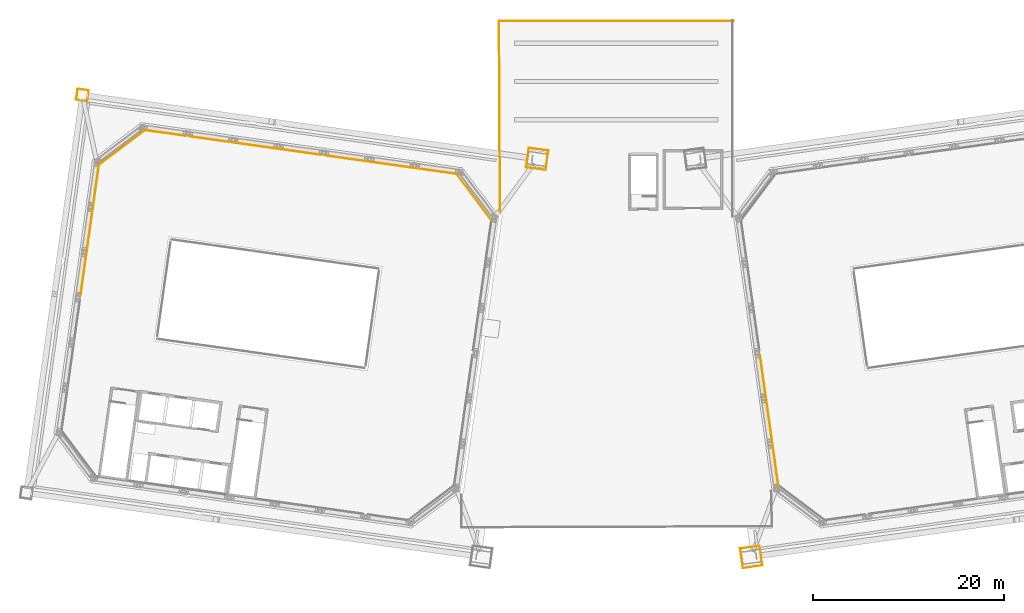
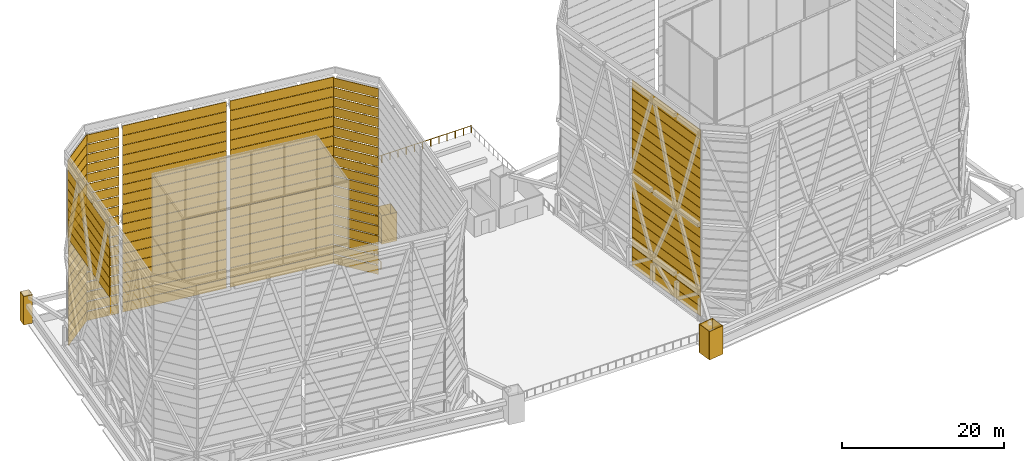
# One storey, part 43 of 45: 134 coverings, 1 railing.
"""IFC4 building model written with IfcOpenShell, lengths in metres."""

from ifc_helpers import new_model, si_unit, direction, frame, origin, origin_2d, place, context, subcontext, project, spatial, polyline, rectangle, outline, extrude, material, layer, layer_set, type_object, element, save


model = new_model("IFC4")

# Units and contexts
model_context = context("Model", 3, precision=1e-05, world=origin(), true_north=direction((0.0, 1.0)))
body_context = subcontext(model_context, "Body", "Model", "MODEL_VIEW")
ifc_project = project(units=[si_unit("LENGTHUNIT", "METRE"), si_unit("AREAUNIT", "SQUARE_METRE"), si_unit("VOLUMEUNIT", "CUBIC_METRE"), si_unit("PLANEANGLEUNIT", "RADIAN"), si_unit("MASSUNIT", "GRAM", prefix="KILO")], contexts=[model_context])

# Site, building, storey
site_placement = place(None, origin())
site = spatial("IfcSite", under=ifc_project, at=site_placement, CompositionType="ELEMENT")
building_placement = place(site_placement, origin())
building = spatial("IfcBuilding", under=site, at=building_placement, Name="Mirante Cascada Hotel Towers", CompositionType="ELEMENT")
storey_placement = place(building_placement, frame((0.0, 0.0, 269.8)))
storey = spatial("IfcBuildingStorey", under=building, at=storey_placement, Name="Roof garden", CompositionType="ELEMENT", Elevation=269.8)

# Coverings
ifc_material_1 = material(Name="Anodised aluminium cladding", Category="aluminium")
ifc_layer_1 = layer(ifc_material_1, 0.05)
ifc_layer_set_1 = layer_set([ifc_layer_1], Name="Column cladding plate 50")
covering_type_1 = type_object("IfcCoveringType", Name="Column cladding plate 50", PredefinedType="CLADDING", material=ifc_layer_set_1)
for number, where, z_axis, x_axis, name in (
    (1, (-9.2773, 16.294, 0.0), (0.0, 0.0, 1.0), (-0.9902681, 0.1391731, 0.0), "Mega column cladding T1 1.1"),
    (2, (-7.2472, 16.0087, 0.0), (0.0, 0.0, 1.0), (-0.9902681, 0.1391731, 0.0), "Mega column cladding T1 1.2"),
):
    element("IfcCovering", number, at=place(storey_placement, frame(where, z_axis=z_axis, x_axis=x_axis)), inside=storey, type_object=covering_type_1, Name=name, PredefinedType="CLADDING", context=body_context, shape_type="SweptSolid", body=[
        extrude(rectangle(XDim=0.05, YDim=2.0, at=origin_2d()), origin(), (0.0, 0.0, 1.0), 4.3),
    ])
for number, where, z_axis, x_axis, name in (
    (3, (-8.4049, 15.1363, 0.0), (0.0, 0.0, 1.0), (-0.9902681, 0.1391731, 0.0), "Mega column cladding T1 1.3"),
    (4, (-8.1196, 17.1664, 0.0), (0.0, 0.0, 1.0), (-0.9902681, 0.1391731, 0.0), "Mega column cladding T1 1.4"),
):
    element("IfcCovering", number, at=place(storey_placement, frame(where, z_axis=z_axis, x_axis=x_axis)), inside=storey, type_object=covering_type_1, Name=name, PredefinedType="CLADDING", context=body_context, shape_type="SweptSolid", body=[
        extrude(rectangle(XDim=2.1, YDim=0.05, at=origin_2d()), origin(), (0.0, 0.0, 1.0), 4.3),
    ])
for number, where, z_axis, x_axis, name in (
    (5, (-56.3645, 22.9117, 0.0), (0.0, 0.0, 1.0), (-0.9902681, 0.1391731, 0.0), "Mega column cladding T1 3.1"),
    (6, (-55.2257, 22.7516, 0.0), (0.0, 0.0, 1.0), (-0.9902681, 0.1391731, 0.0), "Mega column cladding T1 3.2"),
):
    element("IfcCovering", number, at=place(storey_placement, frame(where, z_axis=z_axis, x_axis=x_axis)), inside=storey, type_object=covering_type_1, Name=name, PredefinedType="CLADDING", context=body_context, shape_type="SweptSolid", body=[
        extrude(rectangle(XDim=0.05, YDim=1.1, at=origin_2d()), origin(), (0.0, 0.0, 1.0), 4.3),
    ])
for number, where, z_axis, x_axis, name in (
    (7, (-55.8752, 22.2622, 0.0), (0.0, 0.0, 1.0), (-0.9902681, 0.1391731, 0.0), "Mega column cladding T1 3.3"),
    (8, (-55.7151, 23.4011, 0.0), (0.0, 0.0, 1.0), (-0.9902681, 0.1391731, 0.0), "Mega column cladding T1 3.4"),
):
    element("IfcCovering", number, at=place(storey_placement, frame(where, z_axis=z_axis, x_axis=x_axis)), inside=storey, type_object=covering_type_1, Name=name, PredefinedType="CLADDING", context=body_context, shape_type="SweptSolid", body=[
        extrude(rectangle(XDim=1.2, YDim=0.05, at=origin_2d()), origin(), (0.0, 0.0, 1.0), 4.3),
    ])
for number, where, z_axis, x_axis, name in (
    (9, (15.1226, -25.2973, 0.0), (0.0, 0.0, 1.0), (0.9902681, 0.1391731, 0.0), "Mega column cladding T2 2.1"),
    (10, (13.0925, -25.5826, 0.0), (0.0, 0.0, 1.0), (0.9902681, 0.1391731, 0.0), "Mega column cladding T2 2.2"),
):
    element("IfcCovering", number, at=place(storey_placement, frame(where, z_axis=z_axis, x_axis=x_axis)), inside=storey, type_object=covering_type_1, Name=name, PredefinedType="CLADDING", context=body_context, shape_type="SweptSolid", body=[
        extrude(rectangle(XDim=0.05, YDim=2.0, at=origin_2d()), origin(), (0.0, 0.0, 1.0), 4.3),
    ])
for number, where, z_axis, x_axis, name in (
    (11, (13.9649, -24.4249, 0.0), (0.0, 0.0, 1.0), (0.9902681, 0.1391731, 0.0), "Mega column cladding T2 2.3"),
    (12, (14.2502, -26.4549, 0.0), (0.0, 0.0, 1.0), (0.9902681, 0.1391731, 0.0), "Mega column cladding T2 2.4"),
):
    element("IfcCovering", number, at=place(storey_placement, frame(where, z_axis=z_axis, x_axis=x_axis)), inside=storey, type_object=covering_type_1, Name=name, PredefinedType="CLADDING", context=body_context, shape_type="SweptSolid", body=[
        extrude(rectangle(XDim=2.1, YDim=0.05, at=origin_2d()), origin(), (0.0, 0.0, 1.0), 4.3),
    ])
ifc_material_2 = material(Name="Anodised aluminium louvre blade", Category="aluminium")
ifc_layer_2 = layer(ifc_material_2, 0.06)
ifc_layer_set_2 = layer_set([ifc_layer_2], Name="Crown LOUVRE blade 300x60")
covering_type_2 = type_object("IfcCoveringType", Name="Crown LOUVRE blade 300x60", PredefinedType="USERDEFINED", material=ifc_layer_set_2)
for number, where, z_axis, x_axis, name in (
    (13, (-14.864, 12.1636, 0.07), (0.0, 0.0, 1.0), (-0.601815, 0.7986355, 0.0), "LOUVRE T1 run 4 row 1"),
    (14, (-14.864, 12.1636, 1.5542), (0.0, 0.0, 1.0), (-0.601815, 0.7986355, 0.0), "LOUVRE T1 run 4 row 2"),
    (15, (-14.864, 12.1636, 3.0384), (0.0, 0.0, 1.0), (-0.601815, 0.7986355, 0.0), "LOUVRE T1 run 4 row 3"),
    (16, (-14.864, 12.1636, 4.5226), (0.0, 0.0, 1.0), (-0.601815, 0.7986355, 0.0), "LOUVRE T1 run 4 row 4"),
    (17, (-14.864, 12.1636, 6.0068), (0.0, 0.0, 1.0), (-0.601815, 0.7986355, 0.0), "LOUVRE T1 run 4 row 5"),
    (18, (-14.864, 12.1636, 7.491), (0.0, 0.0, 1.0), (-0.601815, 0.7986355, 0.0), "LOUVRE T1 run 4 row 6"),
    (19, (-14.864, 12.1636, 8.9753), (0.0, 0.0, 1.0), (-0.601815, 0.7986355, 0.0), "LOUVRE T1 run 4 row 7"),
    (20, (-14.864, 12.1636, 10.4595), (0.0, 0.0, 1.0), (-0.601815, 0.7986355, 0.0), "LOUVRE T1 run 4 row 8"),
    (21, (-14.864, 12.1636, 11.9437), (0.0, 0.0, 1.0), (-0.601815, 0.7986355, 0.0), "LOUVRE T1 run 4 row 9"),
    (22, (-14.864, 12.1636, 13.4279), (0.0, 0.0, 1.0), (-0.601815, 0.7986355, 0.0), "LOUVRE T1 run 4 row 10"),
    (23, (-14.864, 12.1636, 14.9121), (0.0, 0.0, 1.0), (-0.601815, 0.7986355, 0.0), "LOUVRE T1 run 4 row 11"),
    (24, (-14.864, 12.1636, 16.3963), (0.0, 0.0, 1.0), (-0.601815, 0.7986355, 0.0), "LOUVRE T1 run 4 row 12"),
    (25, (-14.864, 12.1636, 17.8805), (0.0, 0.0, 1.0), (-0.601815, 0.7986355, 0.0), "LOUVRE T1 run 4 row 13"),
    (26, (-14.864, 12.1636, 19.3647), (0.0, 0.0, 1.0), (-0.601815, 0.7986355, 0.0), "LOUVRE T1 run 4 row 14"),
    (27, (-14.864, 12.1636, 20.8489), (0.0, 0.0, 1.0), (-0.601815, 0.7986355, 0.0), "LOUVRE T1 run 4 row 15"),
    (28, (-14.864, 12.1636, 22.3332), (0.0, 0.0, 1.0), (-0.601815, 0.7986355, 0.0), "LOUVRE T1 run 4 row 16"),
    (29, (-14.864, 12.1636, 23.8174), (0.0, 0.0, 1.0), (-0.601815, 0.7986355, 0.0), "LOUVRE T1 run 4 row 17"),
    (30, (-14.864, 12.1636, 25.3016), (0.0, 0.0, 1.0), (-0.601815, 0.7986355, 0.0), "LOUVRE T1 run 4 row 18"),
    (31, (-14.864, 12.1636, 26.7858), (0.0, 0.0, 1.0), (-0.601815, 0.7986355, 0.0), "LOUVRE T1 run 4 row 19"),
):
    element("IfcCovering", number, at=place(storey_placement, frame(where, z_axis=z_axis, x_axis=x_axis)), inside=storey, type_object=covering_type_2, Name=name, ObjectType="LOUVRE", PredefinedType="USERDEFINED", context=body_context, shape_type="SweptSolid", body=[
        extrude(rectangle(XDim=5.9912, YDim=0.06, at=origin_2d()), origin(), (0.0, 0.0, 1.0), 1.3358),
    ])
for number, where, z_axis, x_axis, name in (
    (32, (-47.1833, 18.8645, 0.07), (0.0, 0.0, 1.0), (-0.9902681, 0.1391731, 0.0), "LOUVRE T1 run 7 row 1"),
    (33, (-47.1833, 18.8645, 1.5542), (0.0, 0.0, 1.0), (-0.9902681, 0.1391731, 0.0), "LOUVRE T1 run 7 row 2"),
    (34, (-47.1833, 18.8645, 3.0384), (0.0, 0.0, 1.0), (-0.9902681, 0.1391731, 0.0), "LOUVRE T1 run 7 row 3"),
    (35, (-47.1833, 18.8645, 4.5226), (0.0, 0.0, 1.0), (-0.9902681, 0.1391731, 0.0), "LOUVRE T1 run 7 row 4"),
    (36, (-47.1833, 18.8645, 6.0068), (0.0, 0.0, 1.0), (-0.9902681, 0.1391731, 0.0), "LOUVRE T1 run 7 row 5"),
    (37, (-47.1833, 18.8645, 7.491), (0.0, 0.0, 1.0), (-0.9902681, 0.1391731, 0.0), "LOUVRE T1 run 7 row 6"),
    (38, (-47.1833, 18.8645, 8.9753), (0.0, 0.0, 1.0), (-0.9902681, 0.1391731, 0.0), "LOUVRE T1 run 7 row 7"),
    (39, (-47.1833, 18.8645, 10.4595), (0.0, 0.0, 1.0), (-0.9902681, 0.1391731, 0.0), "LOUVRE T1 run 7 row 8"),
    (40, (-47.1833, 18.8645, 11.9437), (0.0, 0.0, 1.0), (-0.9902681, 0.1391731, 0.0), "LOUVRE T1 run 7 row 9"),
    (41, (-47.1833, 18.8645, 13.4279), (0.0, 0.0, 1.0), (-0.9902681, 0.1391731, 0.0), "LOUVRE T1 run 7 row 10"),
    (42, (-47.1833, 18.8645, 14.9121), (0.0, 0.0, 1.0), (-0.9902681, 0.1391731, 0.0), "LOUVRE T1 run 7 row 11"),
    (43, (-47.1833, 18.8645, 16.3963), (0.0, 0.0, 1.0), (-0.9902681, 0.1391731, 0.0), "LOUVRE T1 run 7 row 12"),
    (44, (-47.1833, 18.8645, 17.8805), (0.0, 0.0, 1.0), (-0.9902681, 0.1391731, 0.0), "LOUVRE T1 run 7 row 13"),
    (45, (-47.1833, 18.8645, 19.3647), (0.0, 0.0, 1.0), (-0.9902681, 0.1391731, 0.0), "LOUVRE T1 run 7 row 14"),
    (46, (-47.1833, 18.8645, 20.8489), (0.0, 0.0, 1.0), (-0.9902681, 0.1391731, 0.0), "LOUVRE T1 run 7 row 15"),
    (47, (-47.1833, 18.8645, 22.3332), (0.0, 0.0, 1.0), (-0.9902681, 0.1391731, 0.0), "LOUVRE T1 run 7 row 16"),
    (48, (-47.1833, 18.8645, 23.8174), (0.0, 0.0, 1.0), (-0.9902681, 0.1391731, 0.0), "LOUVRE T1 run 7 row 17"),
    (49, (-47.1833, 18.8645, 25.3016), (0.0, 0.0, 1.0), (-0.9902681, 0.1391731, 0.0), "LOUVRE T1 run 7 row 18"),
    (50, (-47.1833, 18.8645, 26.7858), (0.0, 0.0, 1.0), (-0.9902681, 0.1391731, 0.0), "LOUVRE T1 run 7 row 19"),
):
    element("IfcCovering", number, at=place(storey_placement, frame(where, z_axis=z_axis, x_axis=x_axis)), inside=storey, type_object=covering_type_2, Name=name, ObjectType="LOUVRE", PredefinedType="USERDEFINED", context=body_context, shape_type="SweptSolid", body=[
        extrude(rectangle(XDim=4.2875, YDim=0.06, at=origin_2d()), origin(), (0.0, 0.0, 1.0), 1.3358),
    ])
ifc_material_3 = material(Name="Perforated stainless steel screen", Category="steel")
ifc_layer_3 = layer(ifc_material_3, 0.06)
ifc_layer_set_3 = layer_set([ifc_layer_3], Name="Perforated metal SCREEN panel 4500x60")
covering_type_3 = type_object("IfcCoveringType", Name="Perforated metal SCREEN panel 4500x60", PredefinedType="USERDEFINED", material=ifc_layer_set_3)
for number, where, z_axis, x_axis, name in (
    (51, (-23.4788, 15.5331, 0.1), (0.0, 0.0, 1.0), (-0.9902681, 0.1391731, 0.0), "SCREEN T1 run 5 row 1"),
    (52, (-23.4788, 15.5331, 1.5842), (0.0, 0.0, 1.0), (-0.9902681, 0.1391731, 0.0), "SCREEN T1 run 5 row 2"),
    (53, (-23.4788, 15.5331, 3.0684), (0.0, 0.0, 1.0), (-0.9902681, 0.1391731, 0.0), "SCREEN T1 run 5 row 3"),
    (54, (-23.4788, 15.5331, 4.5526), (0.0, 0.0, 1.0), (-0.9902681, 0.1391731, 0.0), "SCREEN T1 run 5 row 4"),
    (55, (-23.4788, 15.5331, 6.0368), (0.0, 0.0, 1.0), (-0.9902681, 0.1391731, 0.0), "SCREEN T1 run 5 row 5"),
    (56, (-23.4788, 15.5331, 7.5211), (0.0, 0.0, 1.0), (-0.9902681, 0.1391731, 0.0), "SCREEN T1 run 5 row 6"),
    (57, (-23.4788, 15.5331, 9.0053), (0.0, 0.0, 1.0), (-0.9902681, 0.1391731, 0.0), "SCREEN T1 run 5 row 7"),
    (58, (-23.4788, 15.5331, 10.4895), (0.0, 0.0, 1.0), (-0.9902681, 0.1391731, 0.0), "SCREEN T1 run 5 row 8"),
    (59, (-23.4788, 15.5331, 11.9737), (0.0, 0.0, 1.0), (-0.9902681, 0.1391731, 0.0), "SCREEN T1 run 5 row 9"),
    (60, (-23.4788, 15.5331, 13.4579), (0.0, 0.0, 1.0), (-0.9902681, 0.1391731, 0.0), "SCREEN T1 run 5 row 10"),
    (61, (-23.4788, 15.5331, 14.9421), (0.0, 0.0, 1.0), (-0.9902681, 0.1391731, 0.0), "SCREEN T1 run 5 row 11"),
    (62, (-23.4788, 15.5331, 16.4263), (0.0, 0.0, 1.0), (-0.9902681, 0.1391731, 0.0), "SCREEN T1 run 5 row 12"),
    (63, (-23.4788, 15.5331, 17.9105), (0.0, 0.0, 1.0), (-0.9902681, 0.1391731, 0.0), "SCREEN T1 run 5 row 13"),
    (64, (-23.4788, 15.5331, 19.3947), (0.0, 0.0, 1.0), (-0.9902681, 0.1391731, 0.0), "SCREEN T1 run 5 row 14"),
    (65, (-23.4788, 15.5331, 20.879), (0.0, 0.0, 1.0), (-0.9902681, 0.1391731, 0.0), "SCREEN T1 run 5 row 15"),
    (66, (-23.4788, 15.5331, 22.3632), (0.0, 0.0, 1.0), (-0.9902681, 0.1391731, 0.0), "SCREEN T1 run 5 row 16"),
    (67, (-23.4788, 15.5331, 23.8474), (0.0, 0.0, 1.0), (-0.9902681, 0.1391731, 0.0), "SCREEN T1 run 5 row 17"),
    (68, (-23.4788, 15.5331, 25.3316), (0.0, 0.0, 1.0), (-0.9902681, 0.1391731, 0.0), "SCREEN T1 run 5 row 18"),
    (69, (-23.4788, 15.5331, 26.8158), (0.0, 0.0, 1.0), (-0.9902681, 0.1391731, 0.0), "SCREEN T1 run 5 row 19"),
    (70, (-37.7015, 17.5319, 0.1), (0.0, 0.0, 1.0), (-0.9902681, 0.1391731, 0.0), "SCREEN T1 run 6 row 1"),
    (71, (-37.7015, 17.5319, 1.5842), (0.0, 0.0, 1.0), (-0.9902681, 0.1391731, 0.0), "SCREEN T1 run 6 row 2"),
    (72, (-37.7015, 17.5319, 3.0684), (0.0, 0.0, 1.0), (-0.9902681, 0.1391731, 0.0), "SCREEN T1 run 6 row 3"),
    (73, (-37.7015, 17.5319, 4.5526), (0.0, 0.0, 1.0), (-0.9902681, 0.1391731, 0.0), "SCREEN T1 run 6 row 4"),
    (74, (-37.7015, 17.5319, 6.0368), (0.0, 0.0, 1.0), (-0.9902681, 0.1391731, 0.0), "SCREEN T1 run 6 row 5"),
    (75, (-37.7015, 17.5319, 7.5211), (0.0, 0.0, 1.0), (-0.9902681, 0.1391731, 0.0), "SCREEN T1 run 6 row 6"),
    (76, (-37.7015, 17.5319, 9.0053), (0.0, 0.0, 1.0), (-0.9902681, 0.1391731, 0.0), "SCREEN T1 run 6 row 7"),
    (77, (-37.7015, 17.5319, 10.4895), (0.0, 0.0, 1.0), (-0.9902681, 0.1391731, 0.0), "SCREEN T1 run 6 row 8"),
    (78, (-37.7015, 17.5319, 11.9737), (0.0, 0.0, 1.0), (-0.9902681, 0.1391731, 0.0), "SCREEN T1 run 6 row 9"),
    (79, (-37.7015, 17.5319, 13.4579), (0.0, 0.0, 1.0), (-0.9902681, 0.1391731, 0.0), "SCREEN T1 run 6 row 10"),
    (80, (-37.7015, 17.5319, 14.9421), (0.0, 0.0, 1.0), (-0.9902681, 0.1391731, 0.0), "SCREEN T1 run 6 row 11"),
    (81, (-37.7015, 17.5319, 16.4263), (0.0, 0.0, 1.0), (-0.9902681, 0.1391731, 0.0), "SCREEN T1 run 6 row 12"),
    (82, (-37.7015, 17.5319, 17.9105), (0.0, 0.0, 1.0), (-0.9902681, 0.1391731, 0.0), "SCREEN T1 run 6 row 13"),
    (83, (-37.7015, 17.5319, 19.3947), (0.0, 0.0, 1.0), (-0.9902681, 0.1391731, 0.0), "SCREEN T1 run 6 row 14"),
    (84, (-37.7015, 17.5319, 20.879), (0.0, 0.0, 1.0), (-0.9902681, 0.1391731, 0.0), "SCREEN T1 run 6 row 15"),
    (85, (-37.7015, 17.5319, 22.3632), (0.0, 0.0, 1.0), (-0.9902681, 0.1391731, 0.0), "SCREEN T1 run 6 row 16"),
    (86, (-37.7015, 17.5319, 23.8474), (0.0, 0.0, 1.0), (-0.9902681, 0.1391731, 0.0), "SCREEN T1 run 6 row 17"),
    (87, (-37.7015, 17.5319, 25.3316), (0.0, 0.0, 1.0), (-0.9902681, 0.1391731, 0.0), "SCREEN T1 run 6 row 18"),
    (88, (-37.7015, 17.5319, 26.8158), (0.0, 0.0, 1.0), (-0.9902681, 0.1391731, 0.0), "SCREEN T1 run 6 row 19"),
):
    element("IfcCovering", number, at=place(storey_placement, frame(where, z_axis=z_axis, x_axis=x_axis)), inside=storey, type_object=covering_type_3, Name=name, ObjectType="SCREEN", PredefinedType="USERDEFINED", context=body_context, shape_type="SweptSolid", body=[
        extrude(rectangle(XDim=13.8625, YDim=0.06, at=origin_2d()), origin(), (0.0, 0.0, 1.0), 1.4242),
    ])
for number, where, z_axis, x_axis, name in (
    (89, (-51.6523, 17.3339, 0.1), (0.0, 0.0, 1.0), (-0.7986355, -0.601815, 0.0), "SCREEN T1 run 8 row 1"),
    (90, (-51.6523, 17.3339, 1.5842), (0.0, 0.0, 1.0), (-0.7986355, -0.601815, 0.0), "SCREEN T1 run 8 row 2"),
    (91, (-51.6523, 17.3339, 3.0684), (0.0, 0.0, 1.0), (-0.7986355, -0.601815, 0.0), "SCREEN T1 run 8 row 3"),
    (92, (-51.6523, 17.3339, 4.5526), (0.0, 0.0, 1.0), (-0.7986355, -0.601815, 0.0), "SCREEN T1 run 8 row 4"),
    (93, (-51.6523, 17.3339, 6.0368), (0.0, 0.0, 1.0), (-0.7986355, -0.601815, 0.0), "SCREEN T1 run 8 row 5"),
    (94, (-51.6523, 17.3339, 7.5211), (0.0, 0.0, 1.0), (-0.7986355, -0.601815, 0.0), "SCREEN T1 run 8 row 6"),
    (95, (-51.6523, 17.3339, 9.0053), (0.0, 0.0, 1.0), (-0.7986355, -0.601815, 0.0), "SCREEN T1 run 8 row 7"),
    (96, (-51.6523, 17.3339, 10.4895), (0.0, 0.0, 1.0), (-0.7986355, -0.601815, 0.0), "SCREEN T1 run 8 row 8"),
    (97, (-51.6523, 17.3339, 11.9737), (0.0, 0.0, 1.0), (-0.7986355, -0.601815, 0.0), "SCREEN T1 run 8 row 9"),
    (98, (-51.6523, 17.3339, 13.4579), (0.0, 0.0, 1.0), (-0.7986355, -0.601815, 0.0), "SCREEN T1 run 8 row 10"),
    (99, (-51.6523, 17.3339, 14.9421), (0.0, 0.0, 1.0), (-0.7986355, -0.601815, 0.0), "SCREEN T1 run 8 row 11"),
    (100, (-51.6523, 17.3339, 16.4263), (0.0, 0.0, 1.0), (-0.7986355, -0.601815, 0.0), "SCREEN T1 run 8 row 12"),
    (101, (-51.6523, 17.3339, 17.9105), (0.0, 0.0, 1.0), (-0.7986355, -0.601815, 0.0), "SCREEN T1 run 8 row 13"),
    (102, (-51.6523, 17.3339, 19.3947), (0.0, 0.0, 1.0), (-0.7986355, -0.601815, 0.0), "SCREEN T1 run 8 row 14"),
    (103, (-51.6523, 17.3339, 20.879), (0.0, 0.0, 1.0), (-0.7986355, -0.601815, 0.0), "SCREEN T1 run 8 row 15"),
    (104, (-51.6523, 17.3339, 22.3632), (0.0, 0.0, 1.0), (-0.7986355, -0.601815, 0.0), "SCREEN T1 run 8 row 16"),
    (105, (-51.6523, 17.3339, 23.8474), (0.0, 0.0, 1.0), (-0.7986355, -0.601815, 0.0), "SCREEN T1 run 8 row 17"),
    (106, (-51.6523, 17.3339, 25.3316), (0.0, 0.0, 1.0), (-0.7986355, -0.601815, 0.0), "SCREEN T1 run 8 row 18"),
    (107, (-51.6523, 17.3339, 26.8158), (0.0, 0.0, 1.0), (-0.7986355, -0.601815, 0.0), "SCREEN T1 run 8 row 19"),
):
    element("IfcCovering", number, at=place(storey_placement, frame(where, z_axis=z_axis, x_axis=x_axis)), inside=storey, type_object=covering_type_3, Name=name, ObjectType="SCREEN", PredefinedType="USERDEFINED", context=body_context, shape_type="SweptSolid", body=[
        extrude(rectangle(XDim=5.9912, YDim=0.06, at=origin_2d()), origin(), (0.0, 0.0, 1.0), 1.4242),
    ])
for number, where, z_axis, x_axis, name in (
    (108, (-55.0183, 8.7432, 16.4263), (0.0, 0.0, 1.0), (-0.1391731, -0.9902681, 0.0), "SCREEN T1 run 9 row 12"),
    (109, (-55.0183, 8.7432, 17.9105), (0.0, 0.0, 1.0), (-0.1391731, -0.9902681, 0.0), "SCREEN T1 run 9 row 13"),
    (110, (-55.0183, 8.7432, 19.3947), (0.0, 0.0, 1.0), (-0.1391731, -0.9902681, 0.0), "SCREEN T1 run 9 row 14"),
    (111, (-55.0183, 8.7432, 20.879), (0.0, 0.0, 1.0), (-0.1391731, -0.9902681, 0.0), "SCREEN T1 run 9 row 15"),
    (112, (-55.0183, 8.7432, 22.3632), (0.0, 0.0, 1.0), (-0.1391731, -0.9902681, 0.0), "SCREEN T1 run 9 row 16"),
    (113, (-55.0183, 8.7432, 23.8474), (0.0, 0.0, 1.0), (-0.1391731, -0.9902681, 0.0), "SCREEN T1 run 9 row 17"),
    (114, (-55.0183, 8.7432, 25.3316), (0.0, 0.0, 1.0), (-0.1391731, -0.9902681, 0.0), "SCREEN T1 run 9 row 18"),
    (115, (-55.0183, 8.7432, 26.8158), (0.0, 0.0, 1.0), (-0.1391731, -0.9902681, 0.0), "SCREEN T1 run 9 row 19"),
    (116, (15.9883, -11.1964, 0.1), (0.0, 0.0, 1.0), (-0.1391731, 0.9902681, 0.0), "SCREEN T2 run 2 row 1"),
    (117, (15.9883, -11.1964, 1.5842), (0.0, 0.0, 1.0), (-0.1391731, 0.9902681, 0.0), "SCREEN T2 run 2 row 2"),
    (118, (15.9883, -11.1964, 3.0684), (0.0, 0.0, 1.0), (-0.1391731, 0.9902681, 0.0), "SCREEN T2 run 2 row 3"),
    (119, (15.9883, -11.1964, 4.5526), (0.0, 0.0, 1.0), (-0.1391731, 0.9902681, 0.0), "SCREEN T2 run 2 row 4"),
    (120, (15.9883, -11.1964, 6.0368), (0.0, 0.0, 1.0), (-0.1391731, 0.9902681, 0.0), "SCREEN T2 run 2 row 5"),
    (121, (15.9883, -11.1964, 7.5211), (0.0, 0.0, 1.0), (-0.1391731, 0.9902681, 0.0), "SCREEN T2 run 2 row 6"),
    (122, (15.9883, -11.1964, 9.0053), (0.0, 0.0, 1.0), (-0.1391731, 0.9902681, 0.0), "SCREEN T2 run 2 row 7"),
    (123, (15.9883, -11.1964, 10.4895), (0.0, 0.0, 1.0), (-0.1391731, 0.9902681, 0.0), "SCREEN T2 run 2 row 8"),
    (124, (15.9883, -11.1964, 11.9737), (0.0, 0.0, 1.0), (-0.1391731, 0.9902681, 0.0), "SCREEN T2 run 2 row 9"),
    (125, (15.9883, -11.1964, 13.4579), (0.0, 0.0, 1.0), (-0.1391731, 0.9902681, 0.0), "SCREEN T2 run 2 row 10"),
    (126, (15.9883, -11.1964, 14.9421), (0.0, 0.0, 1.0), (-0.1391731, 0.9902681, 0.0), "SCREEN T2 run 2 row 11"),
    (127, (15.9883, -11.1964, 16.4263), (0.0, 0.0, 1.0), (-0.1391731, 0.9902681, 0.0), "SCREEN T2 run 2 row 12"),
    (128, (15.9883, -11.1964, 17.9105), (0.0, 0.0, 1.0), (-0.1391731, 0.9902681, 0.0), "SCREEN T2 run 2 row 13"),
    (129, (15.9883, -11.1964, 19.3947), (0.0, 0.0, 1.0), (-0.1391731, 0.9902681, 0.0), "SCREEN T2 run 2 row 14"),
    (130, (15.9883, -11.1964, 20.879), (0.0, 0.0, 1.0), (-0.1391731, 0.9902681, 0.0), "SCREEN T2 run 2 row 15"),
    (131, (15.9883, -11.1964, 22.3632), (0.0, 0.0, 1.0), (-0.1391731, 0.9902681, 0.0), "SCREEN T2 run 2 row 16"),
    (132, (15.9883, -11.1964, 23.8474), (0.0, 0.0, 1.0), (-0.1391731, 0.9902681, 0.0), "SCREEN T2 run 2 row 17"),
    (133, (15.9883, -11.1964, 25.3316), (0.0, 0.0, 1.0), (-0.1391731, 0.9902681, 0.0), "SCREEN T2 run 2 row 18"),
    (134, (15.9883, -11.1964, 26.8158), (0.0, 0.0, 1.0), (-0.1391731, 0.9902681, 0.0), "SCREEN T2 run 2 row 19"),
):
    element("IfcCovering", number, at=place(storey_placement, frame(where, z_axis=z_axis, x_axis=x_axis)), inside=storey, type_object=covering_type_3, Name=name, ObjectType="SCREEN", PredefinedType="USERDEFINED", context=body_context, shape_type="SweptSolid", body=[
        extrude(rectangle(XDim=13.8136, YDim=0.06, at=origin_2d()), origin(), (0.0, 0.0, 1.0), 1.4242),
    ])

# Railing
ifc_material_4 = material(Name="Stainless steel AISI 316", Category="steel")
railing_type = type_object("IfcRailingType", Name="Terrace guard 1100", PredefinedType="GUARDRAIL", material=ifc_material_4)
railing_placement = place(storey_placement, frame((12.2514, 30.5481, 0.0)))
element("IfcRailing", 135, at=railing_placement, inside=storey, type_object=railing_type, Name="GUARD sky park roof garden 1", PredefinedType="GUARDRAIL", context=body_context, shape_type="SweptSolid", body=[
    extrude(outline(polyline([(0.025, 0.0104), (0.0104, 0.025), (-0.0104, 0.025), (-0.025, 0.0104), (-0.025, -0.0104), (-0.0104, -0.025), (0.0104, -0.025), (0.025, -0.0104), (0.025, 0.0104)])), frame((0.0, 0.0, 1.075), z_axis=(-1.0, 0.0, 0.0), x_axis=(0.0, -1.0, 0.0)), (0.0, 0.0, 1.0), 24.5028),
    extrude(outline(polyline([(0.025, 0.0104), (0.0104, 0.025), (-0.0104, 0.025), (-0.025, 0.0104), (-0.025, -0.0104), (-0.0104, -0.025), (0.0104, -0.025), (0.025, -0.0104), (0.025, 0.0104)])), frame((-24.5028, 0.0, 1.075), z_axis=(0.0050247, -0.9999874, 0.0), x_axis=(0.9999874, 0.0050247, 0.0)), (0.0, 0.0, 1.0), 19.9018),
    extrude(rectangle(XDim=0.05, YDim=0.05, at=origin_2d()), origin(), (0.0, 0.0, 1.0), 1.05),
    extrude(rectangle(XDim=0.05, YDim=0.05, at=origin_2d()), frame((-1.1668, 0.0, 0.0)), (0.0, 0.0, 1.0), 1.05),
    extrude(rectangle(XDim=0.05, YDim=0.05, at=origin_2d()), frame((-2.3336, 0.0, 0.0)), (0.0, 0.0, 1.0), 1.05),
    extrude(rectangle(XDim=0.05, YDim=0.05, at=origin_2d()), frame((-3.5004, 0.0, 0.0)), (0.0, 0.0, 1.0), 1.05),
    extrude(rectangle(XDim=0.05, YDim=0.05, at=origin_2d()), frame((-4.6672, 0.0, 0.0)), (0.0, 0.0, 1.0), 1.05),
    extrude(rectangle(XDim=0.05, YDim=0.05, at=origin_2d()), frame((-5.834, 0.0, 0.0)), (0.0, 0.0, 1.0), 1.05),
    extrude(rectangle(XDim=0.05, YDim=0.05, at=origin_2d()), frame((-7.0008, 0.0, 0.0)), (0.0, 0.0, 1.0), 1.05),
    extrude(rectangle(XDim=0.05, YDim=0.05, at=origin_2d()), frame((-8.1676, 0.0, 0.0)), (0.0, 0.0, 1.0), 1.05),
    extrude(rectangle(XDim=0.05, YDim=0.05, at=origin_2d()), frame((-9.3344, 0.0, 0.0)), (0.0, 0.0, 1.0), 1.05),
    extrude(rectangle(XDim=0.05, YDim=0.05, at=origin_2d()), frame((-10.5012, 0.0, 0.0)), (0.0, 0.0, 1.0), 1.05),
    extrude(rectangle(XDim=0.05, YDim=0.05, at=origin_2d()), frame((-11.668, 0.0, 0.0)), (0.0, 0.0, 1.0), 1.05),
    extrude(rectangle(XDim=0.05, YDim=0.05, at=origin_2d()), frame((-12.8348, 0.0, 0.0)), (0.0, 0.0, 1.0), 1.05),
    extrude(rectangle(XDim=0.05, YDim=0.05, at=origin_2d()), frame((-14.0016, 0.0, 0.0)), (0.0, 0.0, 1.0), 1.05),
    extrude(rectangle(XDim=0.05, YDim=0.05, at=origin_2d()), frame((-15.1684, 0.0, 0.0)), (0.0, 0.0, 1.0), 1.05),
    extrude(rectangle(XDim=0.05, YDim=0.05, at=origin_2d()), frame((-16.3352, 0.0, 0.0)), (0.0, 0.0, 1.0), 1.05),
    extrude(rectangle(XDim=0.05, YDim=0.05, at=origin_2d()), frame((-17.502, 0.0, 0.0)), (0.0, 0.0, 1.0), 1.05),
    extrude(rectangle(XDim=0.05, YDim=0.05, at=origin_2d()), frame((-18.6688, 0.0, 0.0)), (0.0, 0.0, 1.0), 1.05),
    extrude(rectangle(XDim=0.05, YDim=0.05, at=origin_2d()), frame((-19.8356, 0.0, 0.0)), (0.0, 0.0, 1.0), 1.05),
    extrude(rectangle(XDim=0.05, YDim=0.05, at=origin_2d()), frame((-21.0024, 0.0, 0.0)), (0.0, 0.0, 1.0), 1.05),
    extrude(rectangle(XDim=0.05, YDim=0.05, at=origin_2d()), frame((-22.1692, 0.0, 0.0)), (0.0, 0.0, 1.0), 1.05),
    extrude(rectangle(XDim=0.05, YDim=0.05, at=origin_2d()), frame((-23.336, 0.0, 0.0)), (0.0, 0.0, 1.0), 1.05),
    extrude(rectangle(XDim=0.05, YDim=0.05, at=origin_2d()), frame((-24.5028, 0.0, 0.0)), (0.0, 0.0, 1.0), 1.05),
    extrude(rectangle(XDim=0.05, YDim=0.05, at=origin_2d()), frame((-24.4969, -1.1707, 0.0)), (0.0, 0.0, 1.0), 1.05),
    extrude(rectangle(XDim=0.05, YDim=0.05, at=origin_2d()), frame((-24.491, -2.3414, 0.0)), (0.0, 0.0, 1.0), 1.05),
    extrude(rectangle(XDim=0.05, YDim=0.05, at=origin_2d()), frame((-24.4852, -3.512, 0.0)), (0.0, 0.0, 1.0), 1.05),
    extrude(rectangle(XDim=0.05, YDim=0.05, at=origin_2d()), frame((-24.4793, -4.6827, 0.0)), (0.0, 0.0, 1.0), 1.05),
    extrude(rectangle(XDim=0.05, YDim=0.05, at=origin_2d()), frame((-24.4734, -5.8534, 0.0)), (0.0, 0.0, 1.0), 1.05),
    extrude(rectangle(XDim=0.05, YDim=0.05, at=origin_2d()), frame((-24.4675, -7.0241, 0.0)), (0.0, 0.0, 1.0), 1.05),
    extrude(rectangle(XDim=0.05, YDim=0.05, at=origin_2d()), frame((-24.4616, -8.1947, 0.0)), (0.0, 0.0, 1.0), 1.05),
    extrude(rectangle(XDim=0.05, YDim=0.05, at=origin_2d()), frame((-24.4557, -9.3654, 0.0)), (0.0, 0.0, 1.0), 1.05),
    extrude(rectangle(XDim=0.05, YDim=0.05, at=origin_2d()), frame((-24.4499, -10.5361, 0.0)), (0.0, 0.0, 1.0), 1.05),
    extrude(rectangle(XDim=0.05, YDim=0.05, at=origin_2d()), frame((-24.444, -11.7068, 0.0)), (0.0, 0.0, 1.0), 1.05),
    extrude(rectangle(XDim=0.05, YDim=0.05, at=origin_2d()), frame((-24.4381, -12.8774, 0.0)), (0.0, 0.0, 1.0), 1.05),
    extrude(rectangle(XDim=0.05, YDim=0.05, at=origin_2d()), frame((-24.4322, -14.0481, 0.0)), (0.0, 0.0, 1.0), 1.05),
    extrude(rectangle(XDim=0.05, YDim=0.05, at=origin_2d()), frame((-24.4263, -15.2188, 0.0)), (0.0, 0.0, 1.0), 1.05),
    extrude(rectangle(XDim=0.05, YDim=0.05, at=origin_2d()), frame((-24.4204, -16.3895, 0.0)), (0.0, 0.0, 1.0), 1.05),
    extrude(rectangle(XDim=0.05, YDim=0.05, at=origin_2d()), frame((-24.4146, -17.5601, 0.0)), (0.0, 0.0, 1.0), 1.05),
    extrude(rectangle(XDim=0.05, YDim=0.05, at=origin_2d()), frame((-24.4087, -18.7308, 0.0)), (0.0, 0.0, 1.0), 1.05),
    extrude(rectangle(XDim=0.05, YDim=0.05, at=origin_2d()), frame((-24.4028, -19.9015, 0.0)), (0.0, 0.0, 1.0), 1.05),
])

save(model, "model.ifc")
